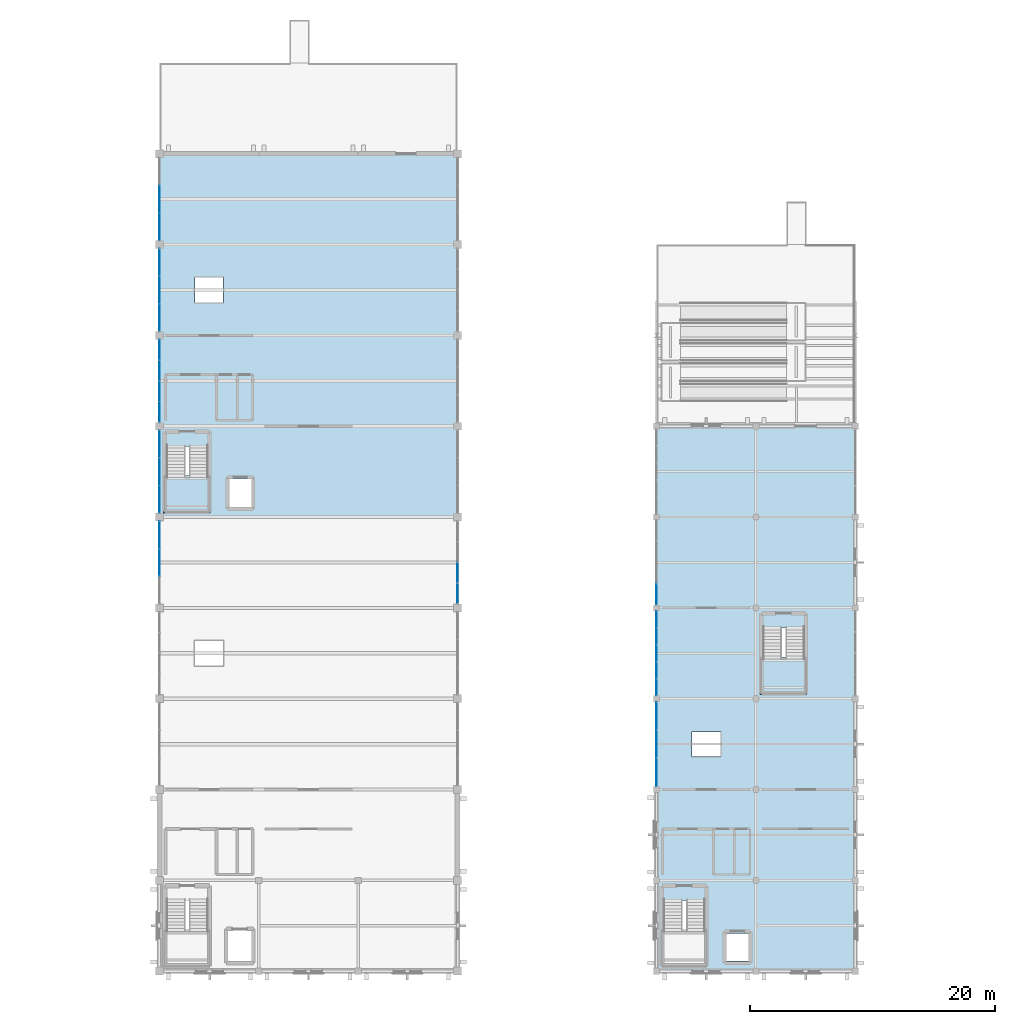
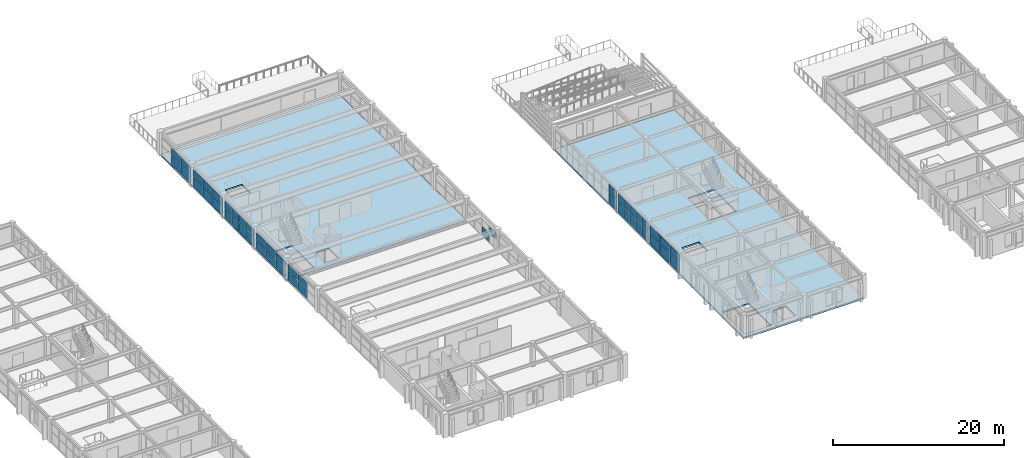
# One storey, part 74 of 93: 48 plates, 4 slabs, 11 elements without a shape of their own.
"""IFC4 building model written with IfcOpenShell, lengths in metres."""

from ifc_helpers import new_model, si_unit, direction, frame, origin, origin_2d, place, context, subcontext, project, spatial, polyline, rectangle, outline, extrude, material, layer, layer_set, type_object, element, aggregate, save


model = new_model("IFC4")

# Units and contexts
model_context = context("Model", 3, precision=1e-05, world=origin(), true_north=direction((0.0, 1.0)))
body_context = subcontext(model_context, "Body", "Model", "MODEL_VIEW")
ifc_project = project(units=[si_unit("LENGTHUNIT", "METRE"), si_unit("AREAUNIT", "SQUARE_METRE"), si_unit("VOLUMEUNIT", "CUBIC_METRE"), si_unit("PLANEANGLEUNIT", "RADIAN"), si_unit("MASSUNIT", "GRAM", prefix="KILO")], contexts=[model_context])

# Site, building, storey
site_placement = place(None, origin())
site = spatial("IfcSite", under=ifc_project, at=site_placement, CompositionType="ELEMENT")
building_placement = place(site_placement, origin())
building = spatial("IfcBuilding", under=site, at=building_placement, Name="Cimatlan Art Gallery", CompositionType="ELEMENT")
storey_placement = place(building_placement, frame((0.0, 0.0, 13.800048828125)))
storey = spatial("IfcBuildingStorey", under=building, at=storey_placement, Name="L03", CompositionType="ELEMENT", Elevation=13.800048828125)

# Curtain wall, plates
ifc_material_1 = material(Name="Anodised bronze unitised curtain wall")
curtain_wall_type_1 = type_object("IfcCurtainWallType", Name="CW-V-06892X02908-B5", PredefinedType="NOTDEFINED", material=ifc_material_1)
curtain_wall_1_placement = place(storey_placement, origin())
curtain_wall_1 = element("IfcCurtainWall", 1, at=curtain_wall_1_placement, inside=storey, type_object=curtain_wall_type_1, Name="CW-L03-14-06-W", PredefinedType="NOTDEFINED")
ifc_material_2 = material(Name="Low-E insulated double glazing", Category="glass")
ifc_layer_1 = layer(ifc_material_2, 0.028076171875)
ifc_layer_set_1 = layer_set([ifc_layer_1], Name="Low-E insulated double glazing")
plate_type_1 = type_object("IfcPlateType", Name="PNL-1320X1095", PredefinedType="CURTAIN_PANEL", material=ifc_layer_set_1)
plate_1_placement = place(storey_placement, frame((115.39990234375, 47.043212890625, 1.69091796875), z_axis=(0.0, 0.0, 1.0), x_axis=(0.0, 1.0, 0.0)))
plate_1 = element("IfcPlate", 2, at=plate_1_placement, type_object=plate_type_1, Name="CW-L03-14-06-W-P12", PredefinedType="CURTAIN_PANEL", context=body_context, shape_type="SweptSolid", body=[
    extrude(rectangle(XDim=1.320068359375, YDim=0.028076171875, at=origin_2d()), origin(), (0.0, 0.0, 1.0), 1.094970703125),
])
plate_2_placement = place(storey_placement, frame((115.39990234375, 48.421630859375, 1.69091796875), z_axis=(0.0, 0.0, 1.0), x_axis=(0.0, 1.0, 0.0)))
plate_2 = element("IfcPlate", 3, at=plate_2_placement, type_object=plate_type_1, Name="CW-L03-14-06-W-P22", PredefinedType="CURTAIN_PANEL", context=body_context, shape_type="SweptSolid", body=[
    extrude(rectangle(XDim=1.320068359375, YDim=0.028076171875, at=origin_2d()), origin(), (0.0, 0.0, 1.0), 1.094970703125),
])
plate_3_placement = place(storey_placement, frame((115.39990234375, 49.800048828125, 1.69091796875), z_axis=(0.0, 0.0, 1.0), x_axis=(0.0, 1.0, 0.0)))
plate_3 = element("IfcPlate", 4, at=plate_3_placement, type_object=plate_type_1, Name="CW-L03-14-06-W-P32", PredefinedType="CURTAIN_PANEL", context=body_context, shape_type="SweptSolid", body=[
    extrude(rectangle(XDim=1.320068359375, YDim=0.028076171875, at=origin_2d()), origin(), (0.0, 0.0, 1.0), 1.094970703125),
])
plate_4_placement = place(storey_placement, frame((115.39990234375, 51.178466796875, 1.69091796875), z_axis=(0.0, 0.0, 1.0), x_axis=(0.0, 1.0, 0.0)))
plate_4 = element("IfcPlate", 5, at=plate_4_placement, type_object=plate_type_1, Name="CW-L03-14-06-W-P42", PredefinedType="CURTAIN_PANEL", context=body_context, shape_type="SweptSolid", body=[
    extrude(rectangle(XDim=1.320068359375, YDim=0.028076171875, at=origin_2d()), origin(), (0.0, 0.0, 1.0), 1.094970703125),
])
plate_5_placement = place(storey_placement, frame((115.39990234375, 52.556884765625, 1.69091796875), z_axis=(0.0, 0.0, 1.0), x_axis=(0.0, 1.0, 0.0)))
plate_5 = element("IfcPlate", 6, at=plate_5_placement, type_object=plate_type_1, Name="CW-L03-14-06-W-P52", PredefinedType="CURTAIN_PANEL", context=body_context, shape_type="SweptSolid", body=[
    extrude(rectangle(XDim=1.320068359375, YDim=0.028076171875, at=origin_2d()), origin(), (0.0, 0.0, 1.0), 1.094970703125),
])
ifc_layer_2 = layer(ifc_material_2, 0.028076171875)
ifc_layer_set_2 = layer_set([ifc_layer_2], Name="Low-E insulated double glazing")
plate_type_2 = type_object("IfcPlateType", Name="PNL-1320X1444", PredefinedType="CURTAIN_PANEL", material=ifc_layer_set_2)
plate_6_placement = place(storey_placement, frame((115.39990234375, 47.043212890625, 0.1220703125), z_axis=(0.0, 0.0, 1.0), x_axis=(0.0, 1.0, 0.0)))
plate_6 = element("IfcPlate", 7, at=plate_6_placement, type_object=plate_type_2, Name="CW-L03-14-06-W-P11", PredefinedType="CURTAIN_PANEL", context=body_context, shape_type="SweptSolid", body=[
    extrude(rectangle(XDim=1.320068359375, YDim=0.028076171875, at=origin_2d()), origin(), (0.0, 0.0, 1.0), 1.444091796875),
])
plate_7_placement = place(storey_placement, frame((115.39990234375, 48.421630859375, 0.1220703125), z_axis=(0.0, 0.0, 1.0), x_axis=(0.0, 1.0, 0.0)))
plate_7 = element("IfcPlate", 8, at=plate_7_placement, type_object=plate_type_2, Name="CW-L03-14-06-W-P21", PredefinedType="CURTAIN_PANEL", context=body_context, shape_type="SweptSolid", body=[
    extrude(rectangle(XDim=1.320068359375, YDim=0.028076171875, at=origin_2d()), origin(), (0.0, 0.0, 1.0), 1.444091796875),
])
plate_8_placement = place(storey_placement, frame((115.39990234375, 49.800048828125, 0.1220703125), z_axis=(0.0, 0.0, 1.0), x_axis=(0.0, 1.0, 0.0)))
plate_8 = element("IfcPlate", 9, at=plate_8_placement, type_object=plate_type_2, Name="CW-L03-14-06-W-P31", PredefinedType="CURTAIN_PANEL", context=body_context, shape_type="SweptSolid", body=[
    extrude(rectangle(XDim=1.320068359375, YDim=0.028076171875, at=origin_2d()), origin(), (0.0, 0.0, 1.0), 1.444091796875),
])
plate_9_placement = place(storey_placement, frame((115.39990234375, 51.178466796875, 0.1220703125), z_axis=(0.0, 0.0, 1.0), x_axis=(0.0, 1.0, 0.0)))
plate_9 = element("IfcPlate", 10, at=plate_9_placement, type_object=plate_type_2, Name="CW-L03-14-06-W-P41", PredefinedType="CURTAIN_PANEL", context=body_context, shape_type="SweptSolid", body=[
    extrude(rectangle(XDim=1.320068359375, YDim=0.028076171875, at=origin_2d()), origin(), (0.0, 0.0, 1.0), 1.444091796875),
])
plate_10_placement = place(storey_placement, frame((115.39990234375, 52.556884765625, 0.1220703125), z_axis=(0.0, 0.0, 1.0), x_axis=(0.0, 1.0, 0.0)))
plate_10 = element("IfcPlate", 11, at=plate_10_placement, type_object=plate_type_2, Name="CW-L03-14-06-W-P51", PredefinedType="CURTAIN_PANEL", context=body_context, shape_type="SweptSolid", body=[
    extrude(rectangle(XDim=1.320068359375, YDim=0.028076171875, at=origin_2d()), origin(), (0.0, 0.0, 1.0), 1.444091796875),
])
aggregate(curtain_wall_1, [plate_6, plate_1, plate_7, plate_2, plate_8, plate_3, plate_9, plate_4, plate_10, plate_5])

# Curtain wall, plate
curtain_wall_type_2 = type_object("IfcCurtainWallType", Name="CW-V-06742X02543-B4", PredefinedType="NOTDEFINED", material=ifc_material_1)
curtain_wall_2_placement = place(storey_placement, origin())
curtain_wall_2 = element("IfcCurtainWall", 12, at=curtain_wall_2_placement, inside=storey, type_object=curtain_wall_type_2, Name="CW-L03-11-07-E", PredefinedType="NOTDEFINED")
ifc_layer_3 = layer(ifc_material_2, 0.028076171875)
ifc_layer_set_3 = layer_set([ifc_layer_3], Name="Low-E insulated double glazing")
plate_type_3 = type_object("IfcPlateType", Name="PNL-1627X0935", PredefinedType="CURTAIN_PANEL", material=ifc_layer_set_3)
plate_11_placement = place(storey_placement, frame((99.199951171875, 54.671630859375, 1.486083984375), z_axis=(0.0, 0.0, 1.0), x_axis=(0.0, -1.0, 0.0)))
plate_11 = element("IfcPlate", 13, at=plate_11_placement, type_object=plate_type_3, Name="CW-L03-11-07-E-P42", PredefinedType="CURTAIN_PANEL", context=body_context, shape_type="SweptSolid", body=[
    extrude(rectangle(XDim=1.626953125, YDim=0.028076171875, at=origin_2d()), origin(), (0.0, 0.0, 1.0), 0.93505859375),
])

# Curtain wall, plates
curtain_wall_type_3 = type_object("IfcCurtainWallType", Name="CW-V-06742X02603-B4", PredefinedType="NOTDEFINED", material=ifc_material_1)
curtain_wall_3_placement = place(storey_placement, origin())
curtain_wall_3 = element("IfcCurtainWall", 14, at=curtain_wall_3_placement, inside=storey, type_object=curtain_wall_type_3, Name="CW-L03-09-09-W", PredefinedType="NOTDEFINED")
ifc_layer_4 = layer(ifc_material_2, 0.028076171875)
ifc_layer_set_4 = layer_set([ifc_layer_4], Name="Low-E insulated double glazing")
plate_type_4 = type_object("IfcPlateType", Name="PNL-1627X0961", PredefinedType="CURTAIN_PANEL", material=ifc_layer_set_4)
plate_12_placement = place(storey_placement, frame((74.89990234375, 69.4716796875, 1.519775390625), z_axis=(0.0, 0.0, 1.0), x_axis=(0.0, 1.0, 0.0)))
plate_12 = element("IfcPlate", 15, at=plate_12_placement, type_object=plate_type_4, Name="CW-L03-09-09-W-P12", PredefinedType="CURTAIN_PANEL", context=body_context, shape_type="SweptSolid", body=[
    extrude(rectangle(XDim=1.626953125, YDim=0.028076171875, at=origin_2d()), origin(), (0.0, 0.0, 1.0), 0.9609375),
])
plate_13_placement = place(storey_placement, frame((74.89990234375, 71.1572265625, 1.519775390625), z_axis=(0.0, 0.0, 1.0), x_axis=(0.0, 1.0, 0.0)))
plate_13 = element("IfcPlate", 16, at=plate_13_placement, type_object=plate_type_4, Name="CW-L03-09-09-W-P22", PredefinedType="CURTAIN_PANEL", context=body_context, shape_type="SweptSolid", body=[
    extrude(rectangle(XDim=1.626953125, YDim=0.028076171875, at=origin_2d()), origin(), (0.0, 0.0, 1.0), 0.9609375),
])
plate_14_placement = place(storey_placement, frame((74.89990234375, 72.8427734375, 1.519775390625), z_axis=(0.0, 0.0, 1.0), x_axis=(0.0, 1.0, 0.0)))
plate_14 = element("IfcPlate", 17, at=plate_14_placement, type_object=plate_type_4, Name="CW-L03-09-09-W-P32", PredefinedType="CURTAIN_PANEL", context=body_context, shape_type="SweptSolid", body=[
    extrude(rectangle(XDim=1.626953125, YDim=0.028076171875, at=origin_2d()), origin(), (0.0, 0.0, 1.0), 0.9609375),
])
plate_15_placement = place(storey_placement, frame((74.89990234375, 74.5283203125, 1.519775390625), z_axis=(0.0, 0.0, 1.0), x_axis=(0.0, 1.0, 0.0)))
plate_15 = element("IfcPlate", 18, at=plate_15_placement, type_object=plate_type_4, Name="CW-L03-09-09-W-P42", PredefinedType="CURTAIN_PANEL", context=body_context, shape_type="SweptSolid", body=[
    extrude(rectangle(XDim=1.626953125, YDim=0.028076171875, at=origin_2d()), origin(), (0.0, 0.0, 1.0), 0.9609375),
])

# Plate
ifc_layer_5 = layer(ifc_material_2, 0.028076171875)
ifc_layer_set_5 = layer_set([ifc_layer_5], Name="Low-E insulated double glazing")
plate_type_5 = type_object("IfcPlateType", Name="PNL-1627X1240", PredefinedType="CURTAIN_PANEL", material=ifc_layer_set_5)
plate_16_placement = place(storey_placement, frame((99.199951171875, 56.357177734375, 0.1220703125), z_axis=(0.0, 0.0, 1.0), x_axis=(0.0, -1.0, 0.0)))
plate_16 = element("IfcPlate", 19, at=plate_16_placement, type_object=plate_type_5, Name="CW-L03-11-07-E-P31", PredefinedType="CURTAIN_PANEL", context=body_context, shape_type="SweptSolid", body=[
    extrude(rectangle(XDim=1.626953125, YDim=0.028076171875, at=origin_2d()), origin(), (0.0, 0.0, 1.0), 1.239990234375),
])

aggregate(curtain_wall_2, [plate_16, plate_11])

ifc_layer_6 = layer(ifc_material_2, 0.028076171875)
ifc_layer_set_6 = layer_set([ifc_layer_6], Name="Low-E insulated double glazing")
plate_type_6 = type_object("IfcPlateType", Name="PNL-1627X1274", PredefinedType="CURTAIN_PANEL", material=ifc_layer_set_6)
plate_17_placement = place(storey_placement, frame((74.89990234375, 69.4716796875, 0.121826171875), z_axis=(0.0, 0.0, 1.0), x_axis=(0.0, 1.0, 0.0)))
plate_17 = element("IfcPlate", 20, at=plate_17_placement, type_object=plate_type_6, Name="CW-L03-09-09-W-P11", PredefinedType="CURTAIN_PANEL", context=body_context, shape_type="SweptSolid", body=[
    extrude(rectangle(XDim=1.626953125, YDim=0.028076171875, at=origin_2d()), origin(), (0.0, 0.0, 1.0), 1.27392578125),
])

plate_18_placement = place(storey_placement, frame((74.89990234375, 71.1572265625, 0.121826171875), z_axis=(0.0, 0.0, 1.0), x_axis=(0.0, 1.0, 0.0)))
plate_18 = element("IfcPlate", 21, at=plate_18_placement, type_object=plate_type_6, Name="CW-L03-09-09-W-P21", PredefinedType="CURTAIN_PANEL", context=body_context, shape_type="SweptSolid", body=[
    extrude(rectangle(XDim=1.626953125, YDim=0.028076171875, at=origin_2d()), origin(), (0.0, 0.0, 1.0), 1.27392578125),
])

plate_19_placement = place(storey_placement, frame((74.89990234375, 72.8427734375, 0.121826171875), z_axis=(0.0, 0.0, 1.0), x_axis=(0.0, 1.0, 0.0)))
plate_19 = element("IfcPlate", 22, at=plate_19_placement, type_object=plate_type_6, Name="CW-L03-09-09-W-P31", PredefinedType="CURTAIN_PANEL", context=body_context, shape_type="SweptSolid", body=[
    extrude(rectangle(XDim=1.626953125, YDim=0.028076171875, at=origin_2d()), origin(), (0.0, 0.0, 1.0), 1.27392578125),
])

plate_20_placement = place(storey_placement, frame((74.89990234375, 74.5283203125, 0.121826171875), z_axis=(0.0, 0.0, 1.0), x_axis=(0.0, 1.0, 0.0)))
plate_20 = element("IfcPlate", 23, at=plate_20_placement, type_object=plate_type_6, Name="CW-L03-09-09-W-P41", PredefinedType="CURTAIN_PANEL", context=body_context, shape_type="SweptSolid", body=[
    extrude(rectangle(XDim=1.626953125, YDim=0.028076171875, at=origin_2d()), origin(), (0.0, 0.0, 1.0), 1.27392578125),
])

aggregate(curtain_wall_3, [plate_17, plate_12, plate_18, plate_13, plate_19, plate_14, plate_20, plate_15])

# Curtain wall, plates
curtain_wall_type_4 = type_object("IfcCurtainWallType", Name="CW-V-06892X02893-B4", PredefinedType="NOTDEFINED", material=ifc_material_1)
curtain_wall_4_placement = place(storey_placement, origin())
curtain_wall_4 = element("IfcCurtainWall", 24, at=curtain_wall_4_placement, inside=storey, type_object=curtain_wall_type_4, Name="CW-L03-14-07-W", PredefinedType="NOTDEFINED")
ifc_layer_7 = layer(ifc_material_2, 0.028076171875)
ifc_layer_set_7 = layer_set([ifc_layer_7], Name="Low-E insulated double glazing")
plate_type_7 = type_object("IfcPlateType", Name="PNL-1665X1089", PredefinedType="CURTAIN_PANEL", material=ifc_layer_set_7)
plate_21_placement = place(storey_placement, frame((115.39990234375, 54.615478515625, 1.68212890625), z_axis=(0.0, 0.0, 1.0), x_axis=(0.0, 1.0, 0.0)))
plate_21 = element("IfcPlate", 25, at=plate_21_placement, type_object=plate_type_7, Name="CW-L03-14-07-W-P12", PredefinedType="CURTAIN_PANEL", context=body_context, shape_type="SweptSolid", body=[
    extrude(rectangle(XDim=1.6650390625, YDim=0.028076171875, at=origin_2d()), origin(), (0.0, 0.0, 1.0), 1.089111328125),
])
ifc_layer_8 = layer(ifc_material_2, 0.028076171875)
ifc_layer_set_8 = layer_set([ifc_layer_8], Name="Low-E insulated double glazing")
plate_type_8 = type_object("IfcPlateType", Name="PNL-1665X1436", PredefinedType="CURTAIN_PANEL", material=ifc_layer_set_8)
plate_22_placement = place(storey_placement, frame((115.39990234375, 54.615478515625, 0.1220703125), z_axis=(0.0, 0.0, 1.0), x_axis=(0.0, 1.0, 0.0)))
plate_22 = element("IfcPlate", 26, at=plate_22_placement, type_object=plate_type_8, Name="CW-L03-14-07-W-P11", PredefinedType="CURTAIN_PANEL", context=body_context, shape_type="SweptSolid", body=[
    extrude(rectangle(XDim=1.6650390625, YDim=0.028076171875, at=origin_2d()), origin(), (0.0, 0.0, 1.0), 1.43603515625),
])
aggregate(curtain_wall_4, [plate_22, plate_21])

curtain_wall_type_5 = type_object("IfcCurtainWallType", Name="CW-V-06742X02528-B3", PredefinedType="NOTDEFINED", material=ifc_material_1)
curtain_wall_5_placement = place(storey_placement, origin())
curtain_wall_5 = element("IfcCurtainWall", 27, at=curtain_wall_5_placement, inside=storey, type_object=curtain_wall_type_5, Name="CW-L03-09-08-W", PredefinedType="NOTDEFINED")
ifc_layer_9 = layer(ifc_material_2, 0.028076171875)
ifc_layer_set_9 = layer_set([ifc_layer_9], Name="Low-E insulated double glazing")
plate_type_9 = type_object("IfcPlateType", Name="PNL-2189X0928", PredefinedType="CURTAIN_PANEL", material=ifc_layer_set_9)
plate_23_placement = place(storey_placement, frame((74.89990234375, 62.352783203125, 1.47802734375), z_axis=(0.0, 0.0, 1.0), x_axis=(0.0, 1.0, 0.0)))
plate_23 = element("IfcPlate", 28, at=plate_23_placement, type_object=plate_type_9, Name="CW-L03-09-08-W-P12", PredefinedType="CURTAIN_PANEL", context=body_context, shape_type="SweptSolid", body=[
    extrude(rectangle(XDim=2.18896484375, YDim=0.028076171875, at=origin_2d()), origin(), (0.0, 0.0, 1.0), 0.927978515625),
])
plate_24_placement = place(storey_placement, frame((74.89990234375, 64.60009765625, 1.47802734375), z_axis=(0.0, 0.0, 1.0), x_axis=(0.0, 1.0, 0.0)))
plate_24 = element("IfcPlate", 29, at=plate_24_placement, type_object=plate_type_9, Name="CW-L03-09-08-W-P22", PredefinedType="CURTAIN_PANEL", context=body_context, shape_type="SweptSolid", body=[
    extrude(rectangle(XDim=2.18896484375, YDim=0.028076171875, at=origin_2d()), origin(), (0.0, 0.0, 1.0), 0.927978515625),
])
plate_25_placement = place(storey_placement, frame((74.89990234375, 66.847412109375, 1.47802734375), z_axis=(0.0, 0.0, 1.0), x_axis=(0.0, 1.0, 0.0)))
plate_25 = element("IfcPlate", 30, at=plate_25_placement, type_object=plate_type_9, Name="CW-L03-09-08-W-P32", PredefinedType="CURTAIN_PANEL", context=body_context, shape_type="SweptSolid", body=[
    extrude(rectangle(XDim=2.18896484375, YDim=0.028076171875, at=origin_2d()), origin(), (0.0, 0.0, 1.0), 0.927978515625),
])

curtain_wall_type_6 = type_object("IfcCurtainWallType", Name="CW-V-06742X02543-B3", PredefinedType="NOTDEFINED", material=ifc_material_1)
curtain_wall_6_placement = place(storey_placement, origin())
curtain_wall_6 = element("IfcCurtainWall", 31, at=curtain_wall_6_placement, inside=storey, type_object=curtain_wall_type_6, Name="CW-L03-09-07-W", PredefinedType="NOTDEFINED")
ifc_layer_10 = layer(ifc_material_2, 0.028076171875)
ifc_layer_set_10 = layer_set([ifc_layer_10], Name="Low-E insulated double glazing")
plate_type_10 = type_object("IfcPlateType", Name="PNL-2189X0935", PredefinedType="CURTAIN_PANEL", material=ifc_layer_set_10)
plate_26_placement = place(storey_placement, frame((74.89990234375, 57.199951171875, 1.486083984375), z_axis=(0.0, 0.0, 1.0), x_axis=(0.0, 1.0, 0.0)))
plate_26 = element("IfcPlate", 32, at=plate_26_placement, type_object=plate_type_10, Name="CW-L03-09-07-W-P22", PredefinedType="CURTAIN_PANEL", context=body_context, shape_type="SweptSolid", body=[
    extrude(rectangle(XDim=2.18896484375, YDim=0.028076171875, at=origin_2d()), origin(), (0.0, 0.0, 1.0), 0.93505859375),
])
plate_27_placement = place(storey_placement, frame((74.89990234375, 59.447265625, 1.486083984375), z_axis=(0.0, 0.0, 1.0), x_axis=(0.0, 1.0, 0.0)))
plate_27 = element("IfcPlate", 33, at=plate_27_placement, type_object=plate_type_10, Name="CW-L03-09-07-W-P32", PredefinedType="CURTAIN_PANEL", context=body_context, shape_type="SweptSolid", body=[
    extrude(rectangle(XDim=2.18896484375, YDim=0.028076171875, at=origin_2d()), origin(), (0.0, 0.0, 1.0), 0.93505859375),
])

curtain_wall_type_7 = type_object("IfcCurtainWallType", Name="CW-V-06742X02573-B3", PredefinedType="NOTDEFINED", material=ifc_material_1)
curtain_wall_7_placement = place(storey_placement, origin())
curtain_wall_7 = element("IfcCurtainWall", 34, at=curtain_wall_7_placement, inside=storey, type_object=curtain_wall_type_7, Name="CW-L03-09-11-W", PredefinedType="NOTDEFINED")
ifc_layer_11 = layer(ifc_material_2, 0.028076171875)
ifc_layer_set_11 = layer_set([ifc_layer_11], Name="Low-E insulated double glazing")
plate_type_11 = type_object("IfcPlateType", Name="PNL-2189X0948", PredefinedType="CURTAIN_PANEL", material=ifc_layer_set_11)
plate_28_placement = place(storey_placement, frame((74.89990234375, 84.552734375, 1.5029296875), z_axis=(0.0, 0.0, 1.0), x_axis=(0.0, 1.0, 0.0)))
plate_28 = element("IfcPlate", 35, at=plate_28_placement, type_object=plate_type_11, Name="CW-L03-09-11-W-P12", PredefinedType="CURTAIN_PANEL", context=body_context, shape_type="SweptSolid", body=[
    extrude(rectangle(XDim=2.18896484375, YDim=0.028076171875, at=origin_2d()), origin(), (0.0, 0.0, 1.0), 0.947998046875),
])
plate_29_placement = place(storey_placement, frame((74.89990234375, 86.800048828125, 1.5029296875), z_axis=(0.0, 0.0, 1.0), x_axis=(0.0, 1.0, 0.0)))
plate_29 = element("IfcPlate", 36, at=plate_29_placement, type_object=plate_type_11, Name="CW-L03-09-11-W-P22", PredefinedType="CURTAIN_PANEL", context=body_context, shape_type="SweptSolid", body=[
    extrude(rectangle(XDim=2.18896484375, YDim=0.028076171875, at=origin_2d()), origin(), (0.0, 0.0, 1.0), 0.947998046875),
])

curtain_wall_type_8 = type_object("IfcCurtainWallType", Name="CW-V-06742X02588-B3", PredefinedType="NOTDEFINED", material=ifc_material_1)
curtain_wall_8_placement = place(storey_placement, origin())
curtain_wall_8 = element("IfcCurtainWall", 37, at=curtain_wall_8_placement, inside=storey, type_object=curtain_wall_type_8, Name="CW-L03-09-10-W", PredefinedType="NOTDEFINED")
ifc_layer_12 = layer(ifc_material_2, 0.028076171875)
ifc_layer_set_12 = layer_set([ifc_layer_12], Name="Low-E insulated double glazing")
plate_type_12 = type_object("IfcPlateType", Name="PNL-2189X0955", PredefinedType="CURTAIN_PANEL", material=ifc_layer_set_12)
plate_30_placement = place(storey_placement, frame((74.89990234375, 77.152587890625, 1.510986328125), z_axis=(0.0, 0.0, 1.0), x_axis=(0.0, 1.0, 0.0)))
plate_30 = element("IfcPlate", 38, at=plate_30_placement, type_object=plate_type_12, Name="CW-L03-09-10-W-P12", PredefinedType="CURTAIN_PANEL", context=body_context, shape_type="SweptSolid", body=[
    extrude(rectangle(XDim=2.18896484375, YDim=0.028076171875, at=origin_2d()), origin(), (0.0, 0.0, 1.0), 0.955078125),
])
plate_31_placement = place(storey_placement, frame((74.89990234375, 79.39990234375, 1.510986328125), z_axis=(0.0, 0.0, 1.0), x_axis=(0.0, 1.0, 0.0)))
plate_31 = element("IfcPlate", 39, at=plate_31_placement, type_object=plate_type_12, Name="CW-L03-09-10-W-P22", PredefinedType="CURTAIN_PANEL", context=body_context, shape_type="SweptSolid", body=[
    extrude(rectangle(XDim=2.18896484375, YDim=0.028076171875, at=origin_2d()), origin(), (0.0, 0.0, 1.0), 0.955078125),
])
plate_32_placement = place(storey_placement, frame((74.89990234375, 81.647216796875, 1.510986328125), z_axis=(0.0, 0.0, 1.0), x_axis=(0.0, 1.0, 0.0)))
plate_32 = element("IfcPlate", 40, at=plate_32_placement, type_object=plate_type_12, Name="CW-L03-09-10-W-P32", PredefinedType="CURTAIN_PANEL", context=body_context, shape_type="SweptSolid", body=[
    extrude(rectangle(XDim=2.18896484375, YDim=0.028076171875, at=origin_2d()), origin(), (0.0, 0.0, 1.0), 0.955078125),
])

# Plate
ifc_layer_13 = layer(ifc_material_2, 0.028076171875)
ifc_layer_set_13 = layer_set([ifc_layer_13], Name="Low-E insulated double glazing")
plate_type_13 = type_object("IfcPlateType", Name="PNL-2189X1232", PredefinedType="CURTAIN_PANEL", material=ifc_layer_set_13)
plate_33_placement = place(storey_placement, frame((74.89990234375, 62.352783203125, 0.121826171875), z_axis=(0.0, 0.0, 1.0), x_axis=(0.0, 1.0, 0.0)))
plate_33 = element("IfcPlate", 41, at=plate_33_placement, type_object=plate_type_13, Name="CW-L03-09-08-W-P11", PredefinedType="CURTAIN_PANEL", context=body_context, shape_type="SweptSolid", body=[
    extrude(rectangle(XDim=2.18896484375, YDim=0.028076171875, at=origin_2d()), origin(), (0.0, 0.0, 1.0), 1.23193359375),
])

plate_34_placement = place(storey_placement, frame((74.89990234375, 64.60009765625, 0.121826171875), z_axis=(0.0, 0.0, 1.0), x_axis=(0.0, 1.0, 0.0)))
plate_34 = element("IfcPlate", 42, at=plate_34_placement, type_object=plate_type_13, Name="CW-L03-09-08-W-P21", PredefinedType="CURTAIN_PANEL", context=body_context, shape_type="SweptSolid", body=[
    extrude(rectangle(XDim=2.18896484375, YDim=0.028076171875, at=origin_2d()), origin(), (0.0, 0.0, 1.0), 1.23193359375),
])

plate_35_placement = place(storey_placement, frame((74.89990234375, 66.847412109375, 0.121826171875), z_axis=(0.0, 0.0, 1.0), x_axis=(0.0, 1.0, 0.0)))
plate_35 = element("IfcPlate", 43, at=plate_35_placement, type_object=plate_type_13, Name="CW-L03-09-08-W-P31", PredefinedType="CURTAIN_PANEL", context=body_context, shape_type="SweptSolid", body=[
    extrude(rectangle(XDim=2.18896484375, YDim=0.028076171875, at=origin_2d()), origin(), (0.0, 0.0, 1.0), 1.23193359375),
])

aggregate(curtain_wall_5, [plate_33, plate_23, plate_34, plate_24, plate_35, plate_25])

ifc_layer_14 = layer(ifc_material_2, 0.028076171875)
ifc_layer_set_14 = layer_set([ifc_layer_14], Name="Low-E insulated double glazing")
plate_type_14 = type_object("IfcPlateType", Name="PNL-2189X1240", PredefinedType="CURTAIN_PANEL", material=ifc_layer_set_14)
plate_36_placement = place(storey_placement, frame((74.89990234375, 57.199951171875, 0.1220703125), z_axis=(0.0, 0.0, 1.0), x_axis=(0.0, 1.0, 0.0)))
plate_36 = element("IfcPlate", 44, at=plate_36_placement, type_object=plate_type_14, Name="CW-L03-09-07-W-P21", PredefinedType="CURTAIN_PANEL", context=body_context, shape_type="SweptSolid", body=[
    extrude(rectangle(XDim=2.18896484375, YDim=0.028076171875, at=origin_2d()), origin(), (0.0, 0.0, 1.0), 1.239990234375),
])

plate_37_placement = place(storey_placement, frame((74.89990234375, 59.447265625, 0.1220703125), z_axis=(0.0, 0.0, 1.0), x_axis=(0.0, 1.0, 0.0)))
plate_37 = element("IfcPlate", 45, at=plate_37_placement, type_object=plate_type_14, Name="CW-L03-09-07-W-P31", PredefinedType="CURTAIN_PANEL", context=body_context, shape_type="SweptSolid", body=[
    extrude(rectangle(XDim=2.18896484375, YDim=0.028076171875, at=origin_2d()), origin(), (0.0, 0.0, 1.0), 1.239990234375),
])

aggregate(curtain_wall_6, [plate_36, plate_26, plate_37, plate_27])

ifc_layer_15 = layer(ifc_material_2, 0.028076171875)
ifc_layer_set_15 = layer_set([ifc_layer_15], Name="Low-E insulated double glazing")
plate_type_15 = type_object("IfcPlateType", Name="PNL-2189X1257", PredefinedType="CURTAIN_PANEL", material=ifc_layer_set_15)
plate_38_placement = place(storey_placement, frame((74.89990234375, 84.552734375, 0.1220703125), z_axis=(0.0, 0.0, 1.0), x_axis=(0.0, 1.0, 0.0)))
plate_38 = element("IfcPlate", 46, at=plate_38_placement, type_object=plate_type_15, Name="CW-L03-09-11-W-P11", PredefinedType="CURTAIN_PANEL", context=body_context, shape_type="SweptSolid", body=[
    extrude(rectangle(XDim=2.18896484375, YDim=0.028076171875, at=origin_2d()), origin(), (0.0, 0.0, 1.0), 1.257080078125),
])

plate_39_placement = place(storey_placement, frame((74.89990234375, 86.800048828125, 0.1220703125), z_axis=(0.0, 0.0, 1.0), x_axis=(0.0, 1.0, 0.0)))
plate_39 = element("IfcPlate", 47, at=plate_39_placement, type_object=plate_type_15, Name="CW-L03-09-11-W-P21", PredefinedType="CURTAIN_PANEL", context=body_context, shape_type="SweptSolid", body=[
    extrude(rectangle(XDim=2.18896484375, YDim=0.028076171875, at=origin_2d()), origin(), (0.0, 0.0, 1.0), 1.257080078125),
])

aggregate(curtain_wall_7, [plate_38, plate_28, plate_39, plate_29])

ifc_layer_16 = layer(ifc_material_2, 0.028076171875)
ifc_layer_set_16 = layer_set([ifc_layer_16], Name="Low-E insulated double glazing")
plate_type_16 = type_object("IfcPlateType", Name="PNL-2189X1265", PredefinedType="CURTAIN_PANEL", material=ifc_layer_set_16)
plate_40_placement = place(storey_placement, frame((74.89990234375, 77.152587890625, 0.1220703125), z_axis=(0.0, 0.0, 1.0), x_axis=(0.0, 1.0, 0.0)))
plate_40 = element("IfcPlate", 48, at=plate_40_placement, type_object=plate_type_16, Name="CW-L03-09-10-W-P11", PredefinedType="CURTAIN_PANEL", context=body_context, shape_type="SweptSolid", body=[
    extrude(rectangle(XDim=2.18896484375, YDim=0.028076171875, at=origin_2d()), origin(), (0.0, 0.0, 1.0), 1.264892578125),
])

plate_41_placement = place(storey_placement, frame((74.89990234375, 79.39990234375, 0.1220703125), z_axis=(0.0, 0.0, 1.0), x_axis=(0.0, 1.0, 0.0)))
plate_41 = element("IfcPlate", 49, at=plate_41_placement, type_object=plate_type_16, Name="CW-L03-09-10-W-P21", PredefinedType="CURTAIN_PANEL", context=body_context, shape_type="SweptSolid", body=[
    extrude(rectangle(XDim=2.18896484375, YDim=0.028076171875, at=origin_2d()), origin(), (0.0, 0.0, 1.0), 1.264892578125),
])

plate_42_placement = place(storey_placement, frame((74.89990234375, 81.647216796875, 0.1220703125), z_axis=(0.0, 0.0, 1.0), x_axis=(0.0, 1.0, 0.0)))
plate_42 = element("IfcPlate", 50, at=plate_42_placement, type_object=plate_type_16, Name="CW-L03-09-10-W-P31", PredefinedType="CURTAIN_PANEL", context=body_context, shape_type="SweptSolid", body=[
    extrude(rectangle(XDim=2.18896484375, YDim=0.028076171875, at=origin_2d()), origin(), (0.0, 0.0, 1.0), 1.264892578125),
])

aggregate(curtain_wall_8, [plate_40, plate_30, plate_41, plate_31, plate_42, plate_32])

# Curtain wall, plates
curtain_wall_type_9 = type_object("IfcCurtainWallType", Name="CW-V-06892X02833-B3", PredefinedType="NOTDEFINED", material=ifc_material_1)
curtain_wall_9_placement = place(storey_placement, origin())
curtain_wall_9 = element("IfcCurtainWall", 51, at=curtain_wall_9_placement, inside=storey, type_object=curtain_wall_type_9, Name="CW-L03-14-05-W", PredefinedType="NOTDEFINED")
ifc_layer_17 = layer(ifc_material_2, 0.028076171875)
ifc_layer_set_17 = layer_set([ifc_layer_17], Name="Low-E insulated double glazing")
plate_type_17 = type_object("IfcPlateType", Name="PNL-2239X1062", PredefinedType="CURTAIN_PANEL", material=ifc_layer_set_17)
plate_43_placement = place(storey_placement, frame((115.39990234375, 40.102783203125, 1.648681640625), z_axis=(0.0, 0.0, 1.0), x_axis=(0.0, 1.0, 0.0)))
plate_43 = element("IfcPlate", 52, at=plate_43_placement, type_object=plate_type_17, Name="CW-L03-14-05-W-P12", PredefinedType="CURTAIN_PANEL", context=body_context, shape_type="SweptSolid", body=[
    extrude(rectangle(XDim=2.239013671875, YDim=0.028076171875, at=origin_2d()), origin(), (0.0, 0.0, 1.0), 1.06201171875),
])
plate_44_placement = place(storey_placement, frame((115.39990234375, 42.39990234375, 1.648681640625), z_axis=(0.0, 0.0, 1.0), x_axis=(0.0, 1.0, 0.0)))
plate_44 = element("IfcPlate", 53, at=plate_44_placement, type_object=plate_type_17, Name="CW-L03-14-05-W-P22", PredefinedType="CURTAIN_PANEL", context=body_context, shape_type="SweptSolid", body=[
    extrude(rectangle(XDim=2.239013671875, YDim=0.028076171875, at=origin_2d()), origin(), (0.0, 0.0, 1.0), 1.06201171875),
])
plate_45_placement = place(storey_placement, frame((115.39990234375, 44.697265625, 1.648681640625), z_axis=(0.0, 0.0, 1.0), x_axis=(0.0, 1.0, 0.0)))
plate_45 = element("IfcPlate", 54, at=plate_45_placement, type_object=plate_type_17, Name="CW-L03-14-05-W-P32", PredefinedType="CURTAIN_PANEL", context=body_context, shape_type="SweptSolid", body=[
    extrude(rectangle(XDim=2.239013671875, YDim=0.028076171875, at=origin_2d()), origin(), (0.0, 0.0, 1.0), 1.06201171875),
])
ifc_layer_18 = layer(ifc_material_2, 0.028076171875)
ifc_layer_set_18 = layer_set([ifc_layer_18], Name="Low-E insulated double glazing")
plate_type_18 = type_object("IfcPlateType", Name="PNL-2239X1402", PredefinedType="CURTAIN_PANEL", material=ifc_layer_set_18)
plate_46_placement = place(storey_placement, frame((115.39990234375, 40.102783203125, 0.1220703125), z_axis=(0.0, 0.0, 1.0), x_axis=(0.0, 1.0, 0.0)))
plate_46 = element("IfcPlate", 55, at=plate_46_placement, type_object=plate_type_18, Name="CW-L03-14-05-W-P11", PredefinedType="CURTAIN_PANEL", context=body_context, shape_type="SweptSolid", body=[
    extrude(rectangle(XDim=2.239013671875, YDim=0.028076171875, at=origin_2d()), origin(), (0.0, 0.0, 1.0), 1.402099609375),
])
plate_47_placement = place(storey_placement, frame((115.39990234375, 42.39990234375, 0.1220703125), z_axis=(0.0, 0.0, 1.0), x_axis=(0.0, 1.0, 0.0)))
plate_47 = element("IfcPlate", 56, at=plate_47_placement, type_object=plate_type_18, Name="CW-L03-14-05-W-P21", PredefinedType="CURTAIN_PANEL", context=body_context, shape_type="SweptSolid", body=[
    extrude(rectangle(XDim=2.239013671875, YDim=0.028076171875, at=origin_2d()), origin(), (0.0, 0.0, 1.0), 1.402099609375),
])
plate_48_placement = place(storey_placement, frame((115.39990234375, 44.697265625, 0.1220703125), z_axis=(0.0, 0.0, 1.0), x_axis=(0.0, 1.0, 0.0)))
plate_48 = element("IfcPlate", 57, at=plate_48_placement, type_object=plate_type_18, Name="CW-L03-14-05-W-P31", PredefinedType="CURTAIN_PANEL", context=body_context, shape_type="SweptSolid", body=[
    extrude(rectangle(XDim=2.239013671875, YDim=0.028076171875, at=origin_2d()), origin(), (0.0, 0.0, 1.0), 1.402099609375),
])
aggregate(curtain_wall_9, [plate_46, plate_43, plate_47, plate_44, plate_48, plate_45])

# Slabs
ifc_material_3 = material(Name="Concrete C35/45", Category="concrete")
ifc_layer_19 = layer(ifc_material_3, 0.22998046875)
ifc_layer_set_19 = layer_set([ifc_layer_19], Name="Concrete C35/45")
slab_type_1 = type_object("IfcSlabType", Name="SLB-FLR-L03", PredefinedType="FLOOR", material=ifc_layer_set_19)
slab_1_placement = place(storey_placement, frame((0.0, 0.0, -0.22998046875)))
element("IfcSlab", 58, at=slab_1_placement, inside=storey, type_object=slab_type_1, Name="SLB-L03-B3N", PredefinedType="FLOOR", context=body_context, shape_type="SweptSolid", body=[
    extrude(outline(polyline([(74.89990234375, 60.89990234375), (99.199951171875, 60.89990234375), (99.199951171875, 90.5), (74.89990234375, 90.5), (74.89990234375, 60.89990234375)]), holes=[polyline([(75.39990234375, 61.419921875), (78.919921875, 61.419921875), (78.919921875, 66.64990234375), (75.39990234375, 66.64990234375), (75.39990234375, 61.419921875)]), polyline([(80.610107421875, 61.7099609375), (82.389892578125, 61.7099609375), (82.389892578125, 63.989990234375), (80.610107421875, 63.989990234375), (80.610107421875, 61.7099609375)]), polyline([(77.800048828125, 78.39990234375), (80.10009765625, 78.39990234375), (80.10009765625, 80.39990234375), (77.800048828125, 80.39990234375), (77.800048828125, 78.39990234375)])]), origin(), (0.0, 0.0, 1.0), 0.22998046875),
])
slab_2_placement = place(storey_placement, frame((0.0, 0.0, -0.22998046875)))
element("IfcSlab", 59, at=slab_2_placement, inside=storey, type_object=slab_type_1, Name="SLB-L03-B4S", PredefinedType="FLOOR", context=body_context, shape_type="SweptSolid", body=[
    extrude(outline(polyline([(115.39990234375, 23.89990234375), (131.60009765625, 23.89990234375), (131.60009765625, 68.300048828125), (115.39990234375, 68.300048828125), (115.39990234375, 23.89990234375)]), holes=[polyline([(115.89990234375, 24.419921875), (119.419921875, 24.419921875), (119.419921875, 29.64990234375), (115.89990234375, 29.64990234375), (115.89990234375, 24.419921875)]), polyline([(121.110107421875, 24.7099609375), (122.889892578125, 24.7099609375), (122.889892578125, 26.989990234375), (121.110107421875, 26.989990234375), (121.110107421875, 24.7099609375)]), polyline([(124.0, 46.6201171875), (127.52001953125, 46.6201171875), (127.52001953125, 51.85009765625), (124.0, 51.85009765625), (124.0, 46.6201171875)]), polyline([(118.300048828125, 41.39990234375), (120.60009765625, 41.39990234375), (120.60009765625, 43.39990234375), (118.300048828125, 43.39990234375), (118.300048828125, 41.39990234375)])]), origin(), (0.0, 0.0, 1.0), 0.22998046875),
])

# Stair, slab
stair_type = type_object("IfcStairType", Name="STR-HALF-155-360", PredefinedType="HALF_TURN_STAIR", material=ifc_material_3)
stair_1_placement = place(storey_placement, origin())
stair_1 = element("IfcStair", 60, at=stair_1_placement, inside=storey, type_object=stair_type, Name="STR-C6-L03", PredefinedType="HALF_TURN_STAIR")
ifc_layer_20 = layer(ifc_material_3, 0.219970703125)
ifc_layer_set_20 = layer_set([ifc_layer_20], Name="Concrete C35/45")
slab_type_2 = type_object("IfcSlabType", Name="SLB-STAIR-LAND-220", PredefinedType="LANDING", material=ifc_layer_set_20)
slab_3_placement = place(storey_placement, frame((0.0, 0.0, 1.579833984375)))
slab_3 = element("IfcSlab", 61, at=slab_3_placement, type_object=slab_type_2, Name="STR-C6-L03-LND", PredefinedType="LANDING", context=body_context, shape_type="SweptSolid", body=[
    extrude(outline(polyline([(75.25, 61.25), (79.0400390625, 61.25), (79.0400390625, 64.280029296875), (75.25, 64.280029296875), (75.25, 61.25)])), origin(), (0.0, 0.0, 1.0), 0.22021484375),
])
aggregate(stair_1, [slab_3])

stair_2_placement = place(storey_placement, origin())
stair_2 = element("IfcStair", 62, at=stair_2_placement, inside=storey, type_object=stair_type, Name="STR-C9-L03", PredefinedType="HALF_TURN_STAIR")
slab_4_placement = place(storey_placement, frame((0.0, 0.0, 1.579833984375)))
slab_4 = element("IfcSlab", 63, at=slab_4_placement, type_object=slab_type_2, Name="STR-C9-L03-LND", PredefinedType="LANDING", context=body_context, shape_type="SweptSolid", body=[
    extrude(outline(polyline([(123.85009765625, 46.449951171875), (127.639892578125, 46.449951171875), (127.639892578125, 49.47998046875), (123.85009765625, 49.47998046875), (123.85009765625, 46.449951171875)])), origin(), (0.0, 0.0, 1.0), 0.22021484375),
])
aggregate(stair_2, [slab_4])

save(model, "model.ifc")
